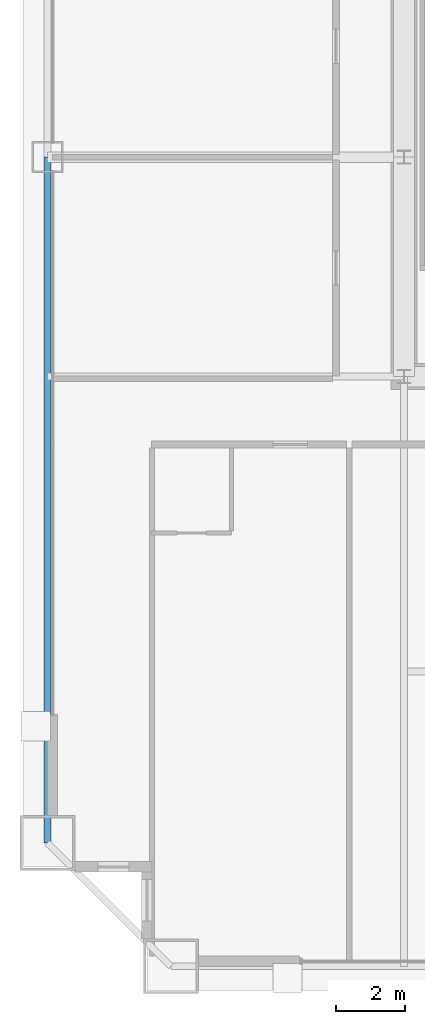
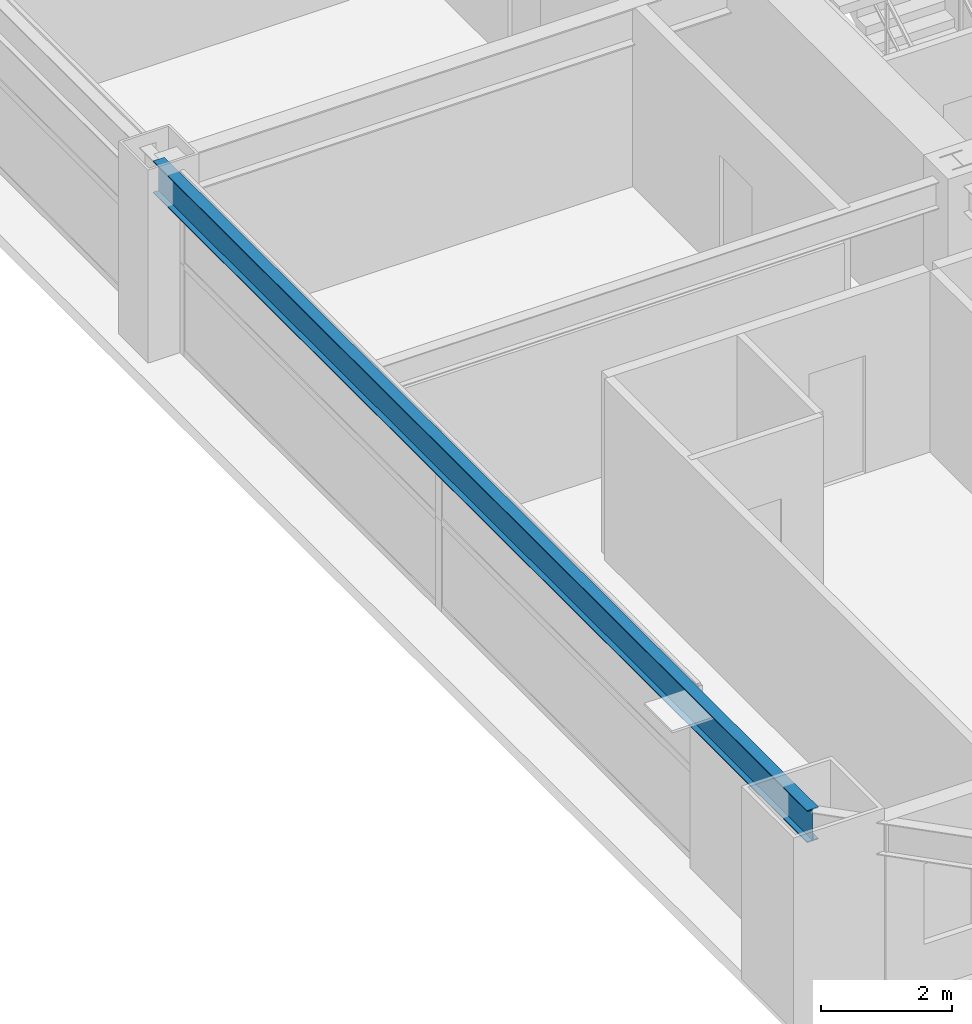
# One storey, part 7 of 39: 1 beam.
"""IFC4 building model written with IfcOpenShell, lengths in metres."""

from ifc_helpers import new_model, si_unit, direction, frame, origin, origin_2d, place, context, subcontext, project, spatial, i_section, extrude, source, transform, mapped, material, material_profile, profile_set, type_object, element, save


model = new_model("IFC4")

# Units and contexts
model_context = context("Model", 3, precision=1e-05, world=origin(), true_north=direction((0.0, 1.0)))
body_context = subcontext(model_context, "Body", "Model", "MODEL_VIEW")
ifc_project = project(units=[si_unit("LENGTHUNIT", "METRE"), si_unit("AREAUNIT", "SQUARE_METRE"), si_unit("VOLUMEUNIT", "CUBIC_METRE"), si_unit("PLANEANGLEUNIT", "RADIAN"), si_unit("MASSUNIT", "GRAM", prefix="KILO"), si_unit("THERMODYNAMICTEMPERATUREUNIT", "KELVIN"), si_unit("POWERUNIT", "WATT")], contexts=[model_context])

# Site, building, storey
site_placement = place(None, origin())
site = spatial("IfcSite", under=ifc_project, at=site_placement, CompositionType="ELEMENT")
building_placement = place(site_placement, origin())
building = spatial("IfcBuilding", under=site, at=building_placement, Name="Yuzanri Waterfront Tower", CompositionType="ELEMENT")
storey_placement = place(building_placement, frame((0.0, 0.0, 148.800048828125)))
storey = spatial("IfcBuildingStorey", under=building, at=storey_placement, Name="L39", CompositionType="ELEMENT", Elevation=148.800048828125)

# Beam
ifc_material = material(Name="Steel Q355B", Category="steel")
ifc_material_profile = material_profile(ifc_material, i_section(OverallWidth=0.199951171875, OverallDepth=0.60009765625, WebThickness=0.010986328125, FlangeThickness=0.01708984375, at=origin_2d()), Name="HN 600x200x11x17")
ifc_profile_set = profile_set([ifc_material_profile], Name="Steel Q355B")
beam_type = type_object("IfcBeamType", Name="Perimeter Spandrel Q355B HN 600x200", PredefinedType="SPANDREL", material=ifc_profile_set)
shared_shape = source(origin(), body_context, "Body", "SweptSolid", [
    extrude(i_section(OverallWidth=0.199951171875, OverallDepth=0.60009765625, WebThickness=0.010986328125, FlangeThickness=0.01708984375, at=origin_2d()), origin(), (0.0, 0.0, 1.0), 20.0),
])
beam_placement = place(storey_placement, frame((13.39990234375, 25.800048828125, 3.079833984375), z_axis=(0.0, -1.0, 0.0), x_axis=(1.0, 0.0, 0.0)))
element("IfcBeam", 1, at=beam_placement, inside=storey, type_object=beam_type, Name="L39 Perimeter Spandrel W2-W1", PredefinedType="SPANDREL", context=body_context, shape_type="MappedRepresentation", body=[
    mapped(shared_shape, transform((0.0, 0.0, 0.0), scale=1.0)),
])

save(model, "model.ifc")
